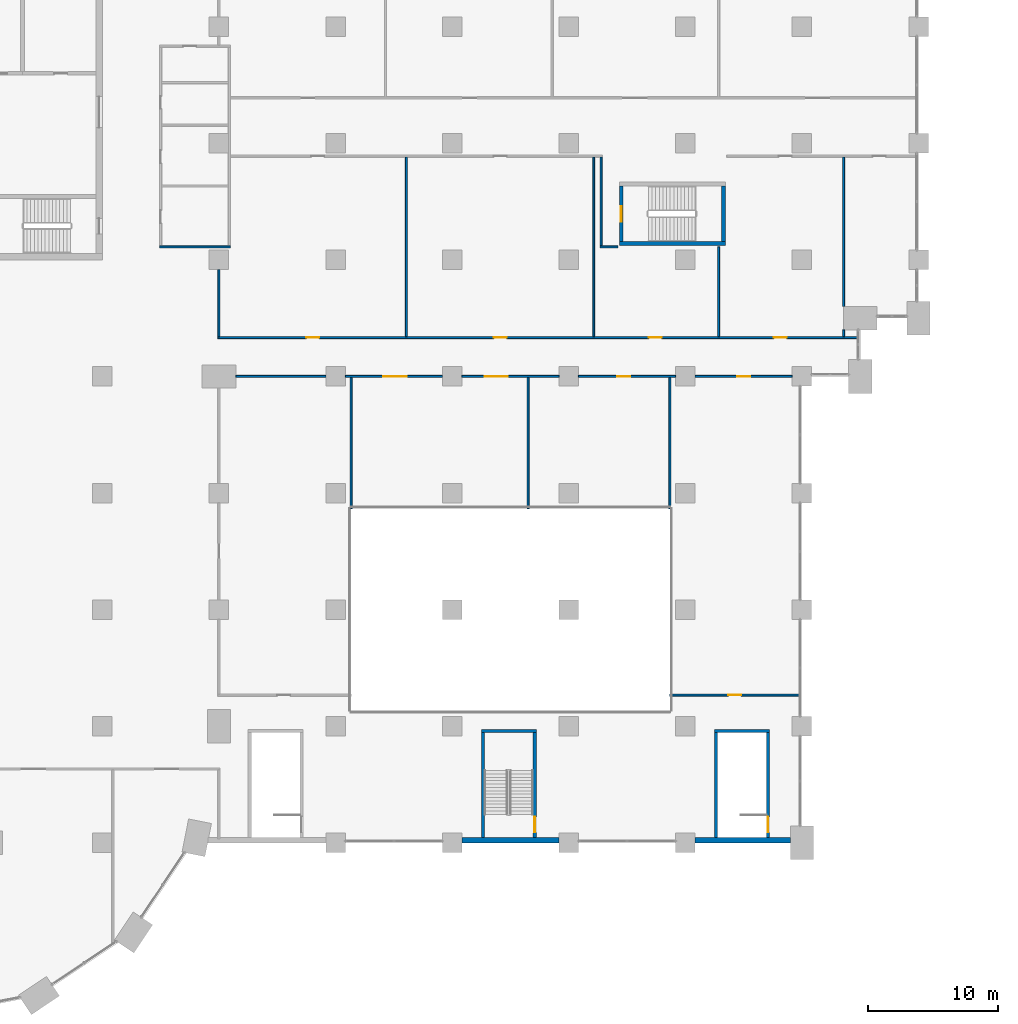
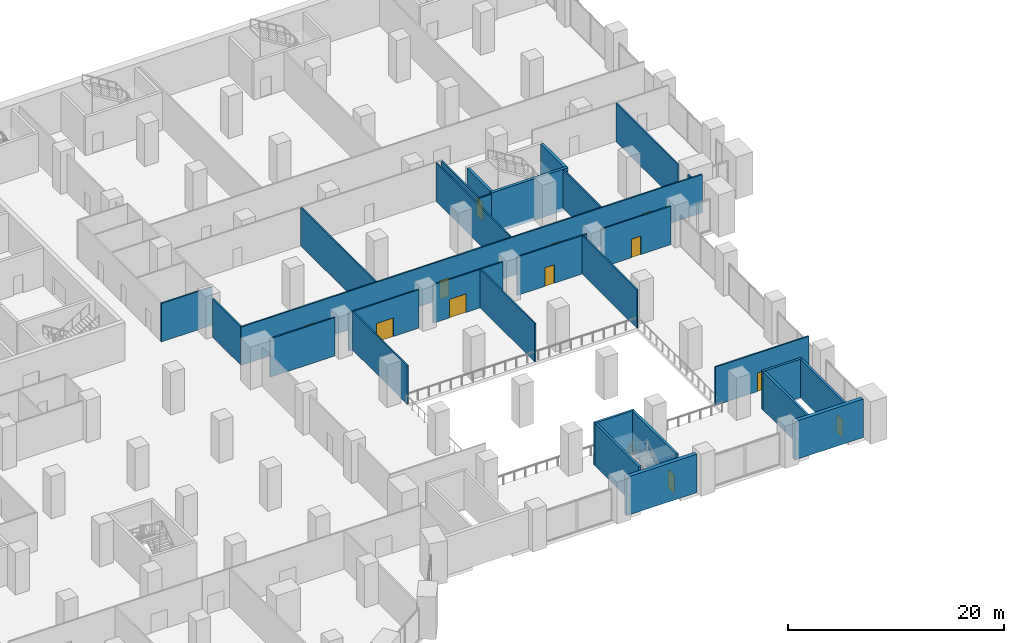
# One storey, part 15 of 32: 30 walls, 12 doors, 12 openings.
"""IFC4 building model written with IfcOpenShell, lengths in metres."""

from ifc_helpers import new_model, si_unit, direction, frame, frame_2d, origin, place, context, subcontext, project, spatial, rectangle, extrude, material, layer, layer_set, type_object, element, fill, save


model = new_model("IFC4")

# Units and contexts
model_context = context("Model", 3, precision=1e-05, world=origin(), true_north=direction((0.0, 1.0)))
body_context = subcontext(model_context, "Body", "Model", "MODEL_VIEW")
ifc_project = project(units=[si_unit("LENGTHUNIT", "METRE"), si_unit("AREAUNIT", "SQUARE_METRE"), si_unit("VOLUMEUNIT", "CUBIC_METRE"), si_unit("PLANEANGLEUNIT", "RADIAN"), si_unit("MASSUNIT", "GRAM", prefix="KILO")], contexts=[model_context])

# Site, building, storey
site_placement = place(None, origin())
site = spatial("IfcSite", under=ifc_project, at=site_placement, CompositionType="ELEMENT")
building_placement = place(site_placement, origin())
building = spatial("IfcBuilding", under=site, at=building_placement, Name="Hunhe Ridgeline Campus", CompositionType="ELEMENT")
storey_placement = place(building_placement, frame((0.0, 0.0, 26.39990234375)))
storey = spatial("IfcBuildingStorey", under=building, at=storey_placement, Name="L05", CompositionType="ELEMENT", Elevation=26.39990234375)

# Walls
ifc_material_1 = material(Name="Plastered blockwork", Category="masonry")
ifc_layer_1 = layer(ifc_material_1, 0.14990234375)
ifc_layer_set_1 = layer_set([ifc_layer_1], Name="Blockwork partition 150")
wall_type_1 = type_object("IfcWallType", Name="Blockwork partition 150", PredefinedType="PARTITIONING", material=ifc_layer_set_1)
wall_1_placement = place(storey_placement, frame((45.875, 64.0, 0.0), z_axis=(0.0, 0.0, 1.0), x_axis=(-1.0, 0.0, 0.0)))
element("IfcWall", 1, at=wall_1_placement, inside=storey, type_object=wall_type_1, Name="L05 partition", PredefinedType="PARTITIONING", context=body_context, shape_type="SweptSolid", body=[
    extrude(rectangle(XDim=5.449951171875, YDim=0.14990234375, at=frame_2d((2.72509765625, 0.0))), origin(), (0.0, 0.0, 1.0), 4.35009765625),
])
wall_2_placement = place(storey_placement, frame((74.425048828125, 64.0, 0.0), z_axis=(0.0, 0.0, 1.0), x_axis=(1.0, 0.0, 0.0)))
element("IfcWall", 2, at=wall_2_placement, inside=storey, type_object=wall_type_1, Name="L05 partition", PredefinedType="PARTITIONING", context=body_context, shape_type="SweptSolid", body=[
    extrude(rectangle(XDim=1.375, YDim=0.14990234375, at=frame_2d((0.6875, 0.0))), origin(), (0.0, 0.0, 1.0), 4.35009765625),
])
wall_3_placement = place(storey_placement, frame((55.199951171875, 43.800048828125, 0.0), z_axis=(0.0, 0.0, 1.0), x_axis=(0.0, 1.0, 0.0)))
element("IfcWall", 3, at=wall_3_placement, inside=storey, type_object=wall_type_1, Name="L05 partition", PredefinedType="PARTITIONING", context=body_context, shape_type="SweptSolid", body=[
    extrude(rectangle(XDim=10.125, YDim=0.14990234375, at=frame_2d((5.0625, 0.0))), origin(), (0.0, 0.0, 1.0), 4.35009765625),
])

# Wall, opening, door
wall_4_placement = place(storey_placement, frame((89.820068359375, 29.39990234375, 0.0), z_axis=(0.0, 0.0, 1.0), x_axis=(-1.0, 0.0, 0.0)))
wall_4 = element("IfcWall", 4, at=wall_4_placement, inside=storey, type_object=wall_type_1, Name="L05 partition", PredefinedType="PARTITIONING", context=body_context, shape_type="SweptSolid", body=[
    extrude(rectangle(XDim=10.02001953125, YDim=0.14990234375, at=frame_2d((5.010009765625, 0.0))), origin(), (0.0, 0.0, 1.0), 4.35009765625),
])
opening_1_placement = place(wall_4_placement, frame((4.52001953125, 0.0, 0.0)))
opening_1 = element("IfcOpeningElement", 5, at=opening_1_placement, cuts=wall_4, Name="Opening PD610", PredefinedType="OPENING", context=body_context, shape_type="SweptSolid", body=[
    extrude(rectangle(XDim=1.0, YDim=2.10009765625, at=frame_2d((0.5, 1.050048828125))), frame((0.0, 0.074951171875, 0.0), z_axis=(0.0, -1.0, 0.0), x_axis=(1.0, 0.0, 0.0)), (0.0, 0.0, 1.0), 0.14990234375),
])
ifc_material_2 = material(Name="Timber", Category="wood")
door_type_1 = type_object("IfcDoorType", Name="Podium timber door 1000x2100", OperationType="NOTDEFINED", PredefinedType="DOOR", material=ifc_material_2)
door_1_placement = place(opening_1_placement, origin())
door_1 = element("IfcDoor", 6, at=door_1_placement, inside=storey, type_object=door_type_1, Name="Archive Store door", OperationType="SINGLE_SWING_RIGHT", OverallHeight=2.10009765625, OverallWidth=1.0, PredefinedType="DOOR", context=body_context, shape_type="SweptSolid", body=[
    extrude(rectangle(XDim=1.0, YDim=2.10009765625, at=frame_2d((0.5, 1.050048828125))), frame((0.0, 0.02490234375, 0.0), z_axis=(0.0, -1.0, 0.0), x_axis=(1.0, 0.0, 0.0)), (0.0, 0.0, 1.0), 0.050048828125),
])
fill(opening_1, door_1)

# Walls
wall_5_placement = place(storey_placement, frame((45.0, 57.074951171875, 0.0), z_axis=(0.0, 0.0, 1.0), x_axis=(0.0, 1.0, 0.0)))
element("IfcWall", 7, at=wall_5_placement, inside=storey, type_object=wall_type_1, Name="L05 partition", PredefinedType="PARTITIONING", context=body_context, shape_type="SweptSolid", body=[
    extrude(rectangle(XDim=5.175048828125, YDim=0.14990234375, at=frame_2d((2.58740234375, 0.0))), origin(), (0.0, 0.0, 1.0), 4.35009765625),
])
wall_6_placement = place(storey_placement, frame((46.300048828125, 54.0, 0.0), z_axis=(0.0, 0.0, 1.0), x_axis=(1.0, 0.0, 0.0)))
element("IfcWall", 8, at=wall_6_placement, inside=storey, type_object=wall_type_1, Name="L05 partition", PredefinedType="PARTITIONING", context=body_context, shape_type="SweptSolid", body=[
    extrude(rectangle(XDim=6.949951171875, YDim=0.14990234375, at=frame_2d((3.47509765625, 0.0))), origin(), (0.0, 0.0, 1.0), 4.35009765625),
])

# Wall, opening, door
wall_7_placement = place(storey_placement, frame((54.75, 54.0, 0.0), z_axis=(0.0, 0.0, 1.0), x_axis=(1.0, 0.0, 0.0)))
wall_7 = element("IfcWall", 9, at=wall_7_placement, inside=storey, type_object=wall_type_1, Name="L05 partition", PredefinedType="PARTITIONING", context=body_context, shape_type="SweptSolid", body=[
    extrude(rectangle(XDim=7.5, YDim=0.14990234375, at=frame_2d((3.75, 0.0))), origin(), (0.0, 0.0, 1.0), 4.35009765625),
])
opening_2_placement = place(wall_7_placement, frame((2.949951171875, 0.0, 0.0)))
opening_2 = element("IfcOpeningElement", 10, at=opening_2_placement, cuts=wall_7, Name="Opening PD612", PredefinedType="OPENING", context=body_context, shape_type="SweptSolid", body=[
    extrude(rectangle(XDim=1.800048828125, YDim=2.10009765625, at=frame_2d((0.89990234375, 1.050048828125))), frame((0.0, 0.074951171875, 0.0), z_axis=(0.0, -1.0, 0.0), x_axis=(1.0, 0.0, 0.0)), (0.0, 0.0, 1.0), 0.14990234375),
])
door_type_2 = type_object("IfcDoorType", Name="Podium timber double door 1800x2100", OperationType="NOTDEFINED", PredefinedType="DOOR", material=ifc_material_2)
door_2_placement = place(opening_2_placement, origin())
door_2 = element("IfcDoor", 11, at=door_2_placement, inside=storey, type_object=door_type_2, Name="Archive Reading Room door", OperationType="DOUBLE_DOOR_SINGLE_SWING", OverallHeight=2.10009765625, OverallWidth=1.800048828125, PredefinedType="DOOR", context=body_context, shape_type="SweptSolid", body=[
    extrude(rectangle(XDim=1.800048828125, YDim=2.10009765625, at=frame_2d((0.89990234375, 1.050048828125))), frame((0.0, 0.02490234375, 0.0), z_axis=(0.0, -1.0, 0.0), x_axis=(1.0, 0.0, 0.0)), (0.0, 0.0, 1.0), 0.050048828125),
])
fill(opening_2, door_2)

wall_8_placement = place(storey_placement, frame((63.75, 54.0, 0.0), z_axis=(0.0, 0.0, 1.0), x_axis=(1.0, 0.0, 0.0)))
wall_8 = element("IfcWall", 12, at=wall_8_placement, inside=storey, type_object=wall_type_1, Name="L05 partition", PredefinedType="PARTITIONING", context=body_context, shape_type="SweptSolid", body=[
    extrude(rectangle(XDim=7.5, YDim=0.14990234375, at=frame_2d((3.75, 0.0))), origin(), (0.0, 0.0, 1.0), 4.35009765625),
])
opening_3_placement = place(wall_8_placement, frame((1.75, 0.0, 0.0)))
opening_3 = element("IfcOpeningElement", 13, at=opening_3_placement, cuts=wall_8, Name="Opening PD613", PredefinedType="OPENING", context=body_context, shape_type="SweptSolid", body=[
    extrude(rectangle(XDim=1.800048828125, YDim=2.10009765625, at=frame_2d((0.89990234375, 1.050048828125))), frame((0.0, 0.074951171875, 0.0), z_axis=(0.0, -1.0, 0.0), x_axis=(1.0, 0.0, 0.0)), (0.0, 0.0, 1.0), 0.14990234375),
])
door_3_placement = place(opening_3_placement, origin())
door_3 = element("IfcDoor", 14, at=door_3_placement, inside=storey, type_object=door_type_2, Name="Archive Reading Room door", OperationType="DOUBLE_DOOR_SINGLE_SWING", OverallHeight=2.10009765625, OverallWidth=1.800048828125, PredefinedType="DOOR", context=body_context, shape_type="SweptSolid", body=[
    extrude(rectangle(XDim=1.800048828125, YDim=2.10009765625, at=frame_2d((0.89990234375, 1.050048828125))), frame((0.0, 0.02490234375, 0.0), z_axis=(0.0, -1.0, 0.0), x_axis=(1.0, 0.0, 0.0)), (0.0, 0.0, 1.0), 0.050048828125),
])
fill(opening_3, door_3)

wall_9_placement = place(storey_placement, frame((72.75, 54.0, 0.0), z_axis=(0.0, 0.0, 1.0), x_axis=(1.0, 0.0, 0.0)))
wall_9 = element("IfcWall", 15, at=wall_9_placement, inside=storey, type_object=wall_type_1, Name="L05 partition", PredefinedType="PARTITIONING", context=body_context, shape_type="SweptSolid", body=[
    extrude(rectangle(XDim=7.5, YDim=0.14990234375, at=frame_2d((3.75, 0.0))), origin(), (0.0, 0.0, 1.0), 4.35009765625),
])
opening_4_placement = place(wall_9_placement, frame((3.0, 0.0, 0.0)))
opening_4 = element("IfcOpeningElement", 16, at=opening_4_placement, cuts=wall_9, Name="Opening PD614", PredefinedType="OPENING", context=body_context, shape_type="SweptSolid", body=[
    extrude(rectangle(XDim=1.0, YDim=2.10009765625, at=frame_2d((0.5, 1.050048828125))), frame((0.0, 0.074951171875, 0.0), z_axis=(0.0, -1.0, 0.0), x_axis=(1.0, 0.0, 0.0)), (0.0, 0.0, 1.0), 0.14990234375),
])
door_4_placement = place(opening_4_placement, origin())
door_4 = element("IfcDoor", 17, at=door_4_placement, inside=storey, type_object=door_type_1, Name="Archive Processing Room door", OperationType="SINGLE_SWING_LEFT", OverallHeight=2.10009765625, OverallWidth=1.0, PredefinedType="DOOR", context=body_context, shape_type="SweptSolid", body=[
    extrude(rectangle(XDim=1.0, YDim=2.10009765625, at=frame_2d((0.5, 1.050048828125))), frame((0.0, 0.02490234375, 0.0), z_axis=(0.0, -1.0, 0.0), x_axis=(1.0, 0.0, 0.0)), (0.0, 0.0, 1.0), 0.050048828125),
])
fill(opening_4, door_4)

wall_10_placement = place(storey_placement, frame((81.75, 54.0, 0.0), z_axis=(0.0, 0.0, 1.0), x_axis=(1.0, 0.0, 0.0)))
wall_10 = element("IfcWall", 18, at=wall_10_placement, inside=storey, type_object=wall_type_1, Name="L05 partition", PredefinedType="PARTITIONING", context=body_context, shape_type="SweptSolid", body=[
    extrude(rectangle(XDim=7.5, YDim=0.14990234375, at=frame_2d((3.75, 0.0))), origin(), (0.0, 0.0, 1.0), 4.35009765625),
])
opening_5_placement = place(wall_10_placement, frame((3.25, 0.0, 0.0)))
opening_5 = element("IfcOpeningElement", 19, at=opening_5_placement, cuts=wall_10, Name="Opening PD611", PredefinedType="OPENING", context=body_context, shape_type="SweptSolid", body=[
    extrude(rectangle(XDim=1.0, YDim=2.10009765625, at=frame_2d((0.5, 1.050048828125))), frame((0.0, 0.074951171875, 0.0), z_axis=(0.0, -1.0, 0.0), x_axis=(1.0, 0.0, 0.0)), (0.0, 0.0, 1.0), 0.14990234375),
])
door_5_placement = place(opening_5_placement, origin())
door_5 = element("IfcDoor", 20, at=door_5_placement, inside=storey, type_object=door_type_1, Name="Archive Store door", OperationType="SINGLE_SWING_RIGHT", OverallHeight=2.10009765625, OverallWidth=1.0, PredefinedType="DOOR", context=body_context, shape_type="SweptSolid", body=[
    extrude(rectangle(XDim=1.0, YDim=2.10009765625, at=frame_2d((0.5, 1.050048828125))), frame((0.0, 0.02490234375, 0.0), z_axis=(0.0, -1.0, 0.0), x_axis=(1.0, 0.0, 0.0)), (0.0, 0.0, 1.0), 0.050048828125),
])
fill(opening_5, door_5)

# Walls
for number, where, z_axis, x_axis, name in (
    (21, (79.800048828125, 43.800048828125, 0.0), (0.0, 0.0, 1.0), (0.0, 1.0, 0.0), "L05 partition"),
    (22, (68.866943359375, 43.800048828125, 0.0), (0.0, 0.0, 1.0), (0.0, 1.0, 0.0), "L05 partition"),
):
    element("IfcWall", number, at=place(storey_placement, frame(where, z_axis=z_axis, x_axis=x_axis)), inside=storey, type_object=wall_type_1, Name=name, PredefinedType="PARTITIONING", context=body_context, shape_type="SweptSolid", body=[
        extrude(rectangle(XDim=10.125, YDim=0.14990234375, at=frame_2d((5.0625, 0.0))), origin(), (0.0, 0.0, 1.0), 4.35009765625),
    ])
wall_11_placement = place(storey_placement, frame((59.464111328125, 57.074951171875, 0.0), z_axis=(0.0, 0.0, 1.0), x_axis=(0.0, 1.0, 0.0)))
element("IfcWall", 23, at=wall_11_placement, inside=storey, type_object=wall_type_1, Name="L05 partition", PredefinedType="PARTITIONING", context=body_context, shape_type="SweptSolid", body=[
    extrude(rectangle(XDim=13.85009765625, YDim=0.14990234375, at=frame_2d((6.925048828125, 0.0))), origin(), (0.0, 0.0, 1.0), 4.35009765625),
])

# Wall, openings, doors
wall_12_placement = place(storey_placement, frame((94.320068359375, 57.0, 0.0), z_axis=(0.0, 0.0, 1.0), x_axis=(-1.0, 0.0, 0.0)))
wall_12 = element("IfcWall", 24, at=wall_12_placement, inside=storey, type_object=wall_type_1, Name="L05 partition", PredefinedType="PARTITIONING", context=body_context, shape_type="SweptSolid", body=[
    extrude(rectangle(XDim=49.39501953125, YDim=0.14990234375, at=frame_2d((24.697509765625, 0.0))), origin(), (0.0, 0.0, 1.0), 4.35009765625),
])
opening_6_placement = place(wall_12_placement, frame((41.570068359375, 0.0, 0.0)))
opening_6 = element("IfcOpeningElement", 25, at=opening_6_placement, cuts=wall_12, Name="Opening PD622", PredefinedType="OPENING", context=body_context, shape_type="SweptSolid", body=[
    extrude(rectangle(XDim=1.0, YDim=2.10009765625, at=frame_2d((0.5, 1.050048828125))), frame((0.0, 0.074951171875, 0.0), z_axis=(0.0, -1.0, 0.0), x_axis=(1.0, 0.0, 0.0)), (0.0, 0.0, 1.0), 0.14990234375),
])
opening_7_placement = place(wall_12_placement, frame((27.10595703125, 0.0, 0.0)))
opening_7 = element("IfcOpeningElement", 26, at=opening_7_placement, cuts=wall_12, Name="Opening PD624", PredefinedType="OPENING", context=body_context, shape_type="SweptSolid", body=[
    extrude(rectangle(XDim=1.0, YDim=2.10009765625, at=frame_2d((0.5, 1.050048828125))), frame((0.0, 0.074951171875, 0.0), z_axis=(0.0, -1.0, 0.0), x_axis=(1.0, 0.0, 0.0)), (0.0, 0.0, 1.0), 0.14990234375),
])
opening_8_placement = place(wall_12_placement, frame((15.14111328125, 0.0, 0.0)))
opening_8 = element("IfcOpeningElement", 27, at=opening_8_placement, cuts=wall_12, Name="Opening PD626", PredefinedType="OPENING", context=body_context, shape_type="SweptSolid", body=[
    extrude(rectangle(XDim=1.0, YDim=2.10009765625, at=frame_2d((0.5, 1.050048828125))), frame((0.0, 0.074951171875, 0.0), z_axis=(0.0, -1.0, 0.0), x_axis=(1.0, 0.0, 0.0)), (0.0, 0.0, 1.0), 0.14990234375),
])
opening_9_placement = place(wall_12_placement, frame((5.4990234375, 0.0, 0.0)))
opening_9 = element("IfcOpeningElement", 28, at=opening_9_placement, cuts=wall_12, Name="Opening PD627", PredefinedType="OPENING", context=body_context, shape_type="SweptSolid", body=[
    extrude(rectangle(XDim=1.0, YDim=2.10009765625, at=frame_2d((0.5, 1.050048828125))), frame((0.0, 0.074951171875, 0.0), z_axis=(0.0, -1.0, 0.0), x_axis=(1.0, 0.0, 0.0)), (0.0, 0.0, 1.0), 0.14990234375),
])
door_6_placement = place(opening_6_placement, origin())
door_6 = element("IfcDoor", 29, at=door_6_placement, inside=storey, type_object=door_type_1, Name="Archive Store door", OperationType="SINGLE_SWING_RIGHT", OverallHeight=2.10009765625, OverallWidth=1.0, PredefinedType="DOOR", context=body_context, shape_type="SweptSolid", body=[
    extrude(rectangle(XDim=1.0, YDim=2.10009765625, at=frame_2d((0.5, 1.050048828125))), frame((0.0, 0.02490234375, 0.0), z_axis=(0.0, -1.0, 0.0), x_axis=(1.0, 0.0, 0.0)), (0.0, 0.0, 1.0), 0.050048828125),
])
fill(opening_6, door_6)
door_7_placement = place(opening_7_placement, origin())
door_7 = element("IfcDoor", 30, at=door_7_placement, inside=storey, type_object=door_type_1, Name="Archive Store door", OperationType="SINGLE_SWING_RIGHT", OverallHeight=2.10009765625, OverallWidth=1.0, PredefinedType="DOOR", context=body_context, shape_type="SweptSolid", body=[
    extrude(rectangle(XDim=1.0, YDim=2.10009765625, at=frame_2d((0.5, 1.050048828125))), frame((0.0, 0.02490234375, 0.0), z_axis=(0.0, -1.0, 0.0), x_axis=(1.0, 0.0, 0.0)), (0.0, 0.0, 1.0), 0.050048828125),
])
fill(opening_7, door_7)
door_8_placement = place(opening_8_placement, origin())
door_8 = element("IfcDoor", 31, at=door_8_placement, inside=storey, type_object=door_type_1, Name="Digitisation Room door", OperationType="SINGLE_SWING_LEFT", OverallHeight=2.10009765625, OverallWidth=1.0, PredefinedType="DOOR", context=body_context, shape_type="SweptSolid", body=[
    extrude(rectangle(XDim=1.0, YDim=2.10009765625, at=frame_2d((0.5, 1.050048828125))), frame((0.0, 0.02490234375, 0.0), z_axis=(0.0, -1.0, 0.0), x_axis=(1.0, 0.0, 0.0)), (0.0, 0.0, 1.0), 0.050048828125),
])
fill(opening_8, door_8)
door_9_placement = place(opening_9_placement, origin())
door_9 = element("IfcDoor", 32, at=door_9_placement, inside=storey, type_object=door_type_1, Name="Conservation Laboratory door", OperationType="SINGLE_SWING_LEFT", OverallHeight=2.10009765625, OverallWidth=1.0, PredefinedType="DOOR", context=body_context, shape_type="SweptSolid", body=[
    extrude(rectangle(XDim=1.0, YDim=2.10009765625, at=frame_2d((0.5, 1.050048828125))), frame((0.0, 0.02490234375, 0.0), z_axis=(0.0, -1.0, 0.0), x_axis=(1.0, 0.0, 0.0)), (0.0, 0.0, 1.0), 0.050048828125),
])
fill(opening_9, door_9)

# Walls
wall_13_placement = place(storey_placement, frame((73.928955078125, 57.074951171875, 0.0), z_axis=(0.0, 0.0, 1.0), x_axis=(0.0, 1.0, 0.0)))
element("IfcWall", 33, at=wall_13_placement, inside=storey, type_object=wall_type_1, Name="L05 partition", PredefinedType="PARTITIONING", context=body_context, shape_type="SweptSolid", body=[
    extrude(rectangle(XDim=13.85009765625, YDim=0.14990234375, at=frame_2d((6.925048828125, 0.0))), origin(), (0.0, 0.0, 1.0), 4.35009765625),
])
wall_14_placement = place(storey_placement, frame((83.571044921875, 57.074951171875, 0.0), z_axis=(0.0, 0.0, 1.0), x_axis=(0.0, 1.0, 0.0)))
element("IfcWall", 34, at=wall_14_placement, inside=storey, type_object=wall_type_1, Name="L05 partition", PredefinedType="PARTITIONING", context=body_context, shape_type="SweptSolid", body=[
    extrude(rectangle(XDim=6.925048828125, YDim=0.14990234375, at=frame_2d((3.46240234375, 0.0))), origin(), (0.0, 0.0, 1.0), 4.35009765625),
])
wall_15_placement = place(storey_placement, frame((74.5, 70.925048828125, 0.0), z_axis=(0.0, 0.0, 1.0), x_axis=(0.0, -1.0, 0.0)))
element("IfcWall", 35, at=wall_15_placement, inside=storey, type_object=wall_type_1, Name="L05 partition", PredefinedType="PARTITIONING", context=body_context, shape_type="SweptSolid", body=[
    extrude(rectangle(XDim=6.85009765625, YDim=0.14990234375, at=frame_2d((3.425048828125, 0.0))), origin(), (0.0, 0.0, 1.0), 4.35009765625),
])
wall_16_placement = place(storey_placement, frame((93.214111328125, 57.074951171875, 0.0), z_axis=(0.0, 0.0, 1.0), x_axis=(0.0, 1.0, 0.0)))
element("IfcWall", 36, at=wall_16_placement, inside=storey, type_object=wall_type_1, Name="L05 partition", PredefinedType="PARTITIONING", context=body_context, shape_type="SweptSolid", body=[
    extrude(rectangle(XDim=0.525146484375, YDim=0.14990234375, at=frame_2d((0.2626953125, 0.0))), origin(), (0.0, 0.0, 1.0), 4.35009765625),
])
wall_17_placement = place(storey_placement, frame((93.214111328125, 59.39990234375, 0.0), z_axis=(0.0, 0.0, 1.0), x_axis=(0.0, 1.0, 0.0)))
element("IfcWall", 37, at=wall_17_placement, inside=storey, type_object=wall_type_1, Name="L05 partition", PredefinedType="PARTITIONING", context=body_context, shape_type="SweptSolid", body=[
    extrude(rectangle(XDim=11.525146484375, YDim=0.14990234375, at=frame_2d((5.7626953125, 0.0))), origin(), (0.0, 0.0, 1.0), 4.35009765625),
])
ifc_material_3 = material(Name="Concrete C40", Category="concrete")
ifc_layer_2 = layer(ifc_material_3, 0.39990234375)
ifc_layer_set_2 = layer_set([ifc_layer_2], Name="Stair shaft facade wall 400 C40")
wall_type_2 = type_object("IfcWallType", Name="Stair shaft facade wall 400 C40", PredefinedType="SOLIDWALL", material=ifc_layer_set_2)
wall_18_placement = place(storey_placement, frame((71.25, 18.199951171875, 0.0), z_axis=(0.0, 0.0, 1.0), x_axis=(-1.0, 0.0, 0.0)))
element("IfcWall", 38, at=wall_18_placement, inside=storey, type_object=wall_type_2, Name="L05 stair facade wall", PredefinedType="SOLIDWALL", context=body_context, shape_type="SweptSolid", body=[
    extrude(rectangle(XDim=7.5, YDim=0.39990234375, at=frame_2d((3.75, 0.0))), origin(), (0.0, 0.0, 1.0), 4.35009765625),
])
wall_19_placement = place(storey_placement, frame((89.10009765625, 18.199951171875, 0.0), z_axis=(0.0, 0.0, 1.0), x_axis=(-1.0, 0.0, 0.0)))
element("IfcWall", 39, at=wall_19_placement, inside=storey, type_object=wall_type_2, Name="L05 stair facade wall", PredefinedType="SOLIDWALL", context=body_context, shape_type="SweptSolid", body=[
    extrude(rectangle(XDim=7.35009765625, YDim=0.39990234375, at=frame_2d((3.675048828125, 0.0))), origin(), (0.0, 0.0, 1.0), 4.35009765625),
])
ifc_layer_3 = layer(ifc_material_3, 0.25)
ifc_layer_set_3 = layer_set([ifc_layer_3], Name="Stair shaft wall 250 C40")
wall_type_3 = type_object("IfcWallType", Name="Stair shaft wall 250 C40", PredefinedType="SOLIDWALL", material=ifc_layer_set_3)
wall_20_placement = place(storey_placement, frame((65.375, 18.39990234375, 0.0), z_axis=(0.0, 0.0, 1.0), x_axis=(0.0, 1.0, 0.0)))
element("IfcWall", 40, at=wall_20_placement, inside=storey, type_object=wall_type_3, Name="L05 PS2 shaft wall", PredefinedType="SOLIDWALL", context=body_context, shape_type="SweptSolid", body=[
    extrude(rectangle(XDim=8.10009765625, YDim=0.25, at=frame_2d((4.050048828125, 0.0))), origin(), (0.0, 0.0, 1.0), 4.800048828125),
])

# Wall, opening, door
wall_21_placement = place(storey_placement, frame((69.375, 26.5, 0.0), z_axis=(0.0, 0.0, 1.0), x_axis=(0.0, -1.0, 0.0)))
wall_21 = element("IfcWall", 41, at=wall_21_placement, inside=storey, type_object=wall_type_3, Name="L05 PS2 shaft wall", PredefinedType="SOLIDWALL", context=body_context, shape_type="SweptSolid", body=[
    extrude(rectangle(XDim=8.10009765625, YDim=0.25, at=frame_2d((4.050048828125, 0.0))), origin(), (0.0, 0.0, 1.0), 4.800048828125),
])
opening_10_placement = place(wall_21_placement, frame((6.5, 0.0, 0.0)))
opening_10 = element("IfcOpeningElement", 42, at=opening_10_placement, cuts=wall_21, Name="Opening PD602", PredefinedType="OPENING", context=body_context, shape_type="SweptSolid", body=[
    extrude(rectangle(XDim=1.199951171875, YDim=2.10009765625, at=frame_2d((0.60009765625, 1.050048828125))), frame((0.0, 0.125, 0.0), z_axis=(0.0, -1.0, 0.0), x_axis=(1.0, 0.0, 0.0)), (0.0, 0.0, 1.0), 0.25),
])
ifc_material_4 = material(Name="Steel Q235", Category="steel")
door_type_3 = type_object("IfcDoorType", Name="Podium fire door 1200x2100 FD60", OperationType="NOTDEFINED", PredefinedType="DOOR", material=ifc_material_4)
door_10_placement = place(opening_10_placement, origin())
door_10 = element("IfcDoor", 43, at=door_10_placement, inside=storey, type_object=door_type_3, Name="Stair door PS2", OperationType="SINGLE_SWING_LEFT", OverallHeight=2.10009765625, OverallWidth=1.199951171875, PredefinedType="DOOR", context=body_context, shape_type="SweptSolid", body=[
    extrude(rectangle(XDim=1.199951171875, YDim=2.10009765625, at=frame_2d((0.60009765625, 1.050048828125))), frame((0.0, 0.02490234375, 0.0), z_axis=(0.0, -1.0, 0.0), x_axis=(1.0, 0.0, 0.0)), (0.0, 0.0, 1.0), 0.050048828125),
])
fill(opening_10, door_10)

# Walls
wall_22_placement = place(storey_placement, frame((65.25, 26.625, 0.0), z_axis=(0.0, 0.0, 1.0), x_axis=(1.0, 0.0, 0.0)))
element("IfcWall", 44, at=wall_22_placement, inside=storey, type_object=wall_type_3, Name="L05 PS2 shaft wall", PredefinedType="SOLIDWALL", context=body_context, shape_type="SweptSolid", body=[
    extrude(rectangle(XDim=4.25, YDim=0.25, at=frame_2d((2.125, 0.0))), origin(), (0.0, 0.0, 1.0), 4.800048828125),
])
wall_23_placement = place(storey_placement, frame((83.375, 18.39990234375, 0.0), z_axis=(0.0, 0.0, 1.0), x_axis=(0.0, 1.0, 0.0)))
element("IfcWall", 45, at=wall_23_placement, inside=storey, type_object=wall_type_3, Name="L05 PS3 shaft wall", PredefinedType="SOLIDWALL", context=body_context, shape_type="SweptSolid", body=[
    extrude(rectangle(XDim=8.10009765625, YDim=0.25, at=frame_2d((4.050048828125, 0.0))), origin(), (0.0, 0.0, 1.0), 4.35009765625),
])

# Wall, opening, door
wall_24_placement = place(storey_placement, frame((87.375, 26.5, 0.0), z_axis=(0.0, 0.0, 1.0), x_axis=(0.0, -1.0, 0.0)))
wall_24 = element("IfcWall", 46, at=wall_24_placement, inside=storey, type_object=wall_type_3, Name="L05 PS3 shaft wall", PredefinedType="SOLIDWALL", context=body_context, shape_type="SweptSolid", body=[
    extrude(rectangle(XDim=8.10009765625, YDim=0.25, at=frame_2d((4.050048828125, 0.0))), origin(), (0.0, 0.0, 1.0), 4.35009765625),
])
opening_11_placement = place(wall_24_placement, frame((6.5, 0.0, 0.0)))
opening_11 = element("IfcOpeningElement", 47, at=opening_11_placement, cuts=wall_24, Name="Opening PD603", PredefinedType="OPENING", context=body_context, shape_type="SweptSolid", body=[
    extrude(rectangle(XDim=1.199951171875, YDim=2.10009765625, at=frame_2d((0.60009765625, 1.050048828125))), frame((0.0, 0.125, 0.0), z_axis=(0.0, -1.0, 0.0), x_axis=(1.0, 0.0, 0.0)), (0.0, 0.0, 1.0), 0.25),
])
door_11_placement = place(opening_11_placement, origin())
door_11 = element("IfcDoor", 48, at=door_11_placement, inside=storey, type_object=door_type_3, Name="Stair door PS3", OperationType="SINGLE_SWING_LEFT", OverallHeight=2.10009765625, OverallWidth=1.199951171875, PredefinedType="DOOR", context=body_context, shape_type="SweptSolid", body=[
    extrude(rectangle(XDim=1.199951171875, YDim=2.10009765625, at=frame_2d((0.60009765625, 1.050048828125))), frame((0.0, 0.02490234375, 0.0), z_axis=(0.0, -1.0, 0.0), x_axis=(1.0, 0.0, 0.0)), (0.0, 0.0, 1.0), 0.050048828125),
])
fill(opening_11, door_11)

# Walls
wall_25_placement = place(storey_placement, frame((83.25, 26.625, 0.0), z_axis=(0.0, 0.0, 1.0), x_axis=(1.0, 0.0, 0.0)))
element("IfcWall", 49, at=wall_25_placement, inside=storey, type_object=wall_type_3, Name="L05 PS3 shaft wall", PredefinedType="SOLIDWALL", context=body_context, shape_type="SweptSolid", body=[
    extrude(rectangle(XDim=4.25, YDim=0.25, at=frame_2d((2.125, 0.0))), origin(), (0.0, 0.0, 1.0), 4.35009765625),
])
ifc_material_5 = material(Name="Concrete C80", Category="concrete")
ifc_layer_4 = layer(ifc_material_5, 0.300048828125)
ifc_layer_set_4 = layer_set([ifc_layer_4], Name="Stair wall 300 reinforced concrete C80")
wall_type_4 = type_object("IfcWallType", Name="Stair wall 300 reinforced concrete C80", PredefinedType="SOLIDWALL", material=ifc_layer_set_4)
wall_26_placement = place(storey_placement, frame((75.89990234375, 64.25, -0.349853515625), z_axis=(0.0, 0.0, 1.0), x_axis=(1.0, 0.0, 0.0)))
element("IfcWall", 50, at=wall_26_placement, inside=storey, type_object=wall_type_4, Name="L05 core wall 8", PredefinedType="SOLIDWALL", context=body_context, shape_type="SweptSolid", body=[
    extrude(rectangle(XDim=8.2001953125, YDim=0.300048828125, at=frame_2d((4.10009765625, 0.0))), origin(), (0.0, 0.0, 1.0), 4.699951171875),
])

# Wall, opening, door
wall_27_placement = place(storey_placement, frame((76.050048828125, 64.39990234375, -0.349853515625), z_axis=(0.0, 0.0, 1.0), x_axis=(0.0, 1.0, 0.0)))
wall_27 = element("IfcWall", 51, at=wall_27_placement, inside=storey, type_object=wall_type_4, Name="L05 core wall 70", PredefinedType="SOLIDWALL", context=body_context, shape_type="SweptSolid", body=[
    extrude(rectangle(XDim=4.300048828125, YDim=0.300048828125, at=frame_2d((2.14990234375, 0.0))), origin(), (0.0, 0.0, 1.0), 4.699951171875),
])
opening_12_placement = place(wall_27_placement, frame((1.550048828125, 0.0, 0.35009765625)))
opening_12 = element("IfcOpeningElement", 52, at=opening_12_placement, cuts=wall_27, Name="Opening CD24", PredefinedType="OPENING", context=body_context, shape_type="SweptSolid", body=[
    extrude(rectangle(XDim=1.199951171875, YDim=2.10009765625, at=frame_2d((0.60009765625, 1.050048828125))), frame((0.0, 0.14990234375, 0.0), z_axis=(0.0, -1.0, 0.0), x_axis=(1.0, 0.0, 0.0)), (0.0, 0.0, 1.0), 0.300048828125),
])
ifc_material_6 = material(Name="Hollow metal fire door leaf")
door_type_4 = type_object("IfcDoorType", Name="Stair door 1200x2100 FD60", OperationType="SINGLE_SWING_LEFT", PredefinedType="DOOR", material=ifc_material_6)
door_12_placement = place(opening_12_placement, origin())
door_12 = element("IfcDoor", 53, at=door_12_placement, inside=storey, type_object=door_type_4, Name="L05 door E5", OperationType="SINGLE_SWING_RIGHT", OverallHeight=2.10009765625, OverallWidth=1.199951171875, PredefinedType="DOOR", context=body_context, shape_type="SweptSolid", body=[
    extrude(rectangle(XDim=1.199951171875, YDim=2.10009765625, at=frame_2d((0.60009765625, 1.050048828125))), frame((0.0, 0.02490234375, 0.0), z_axis=(0.0, -1.0, 0.0), x_axis=(1.0, 0.0, 0.0)), (0.0, 0.0, 1.0), 0.050048828125),
])
fill(opening_12, door_12)

# Wall
wall_28_placement = place(storey_placement, frame((83.949951171875, 64.39990234375, -0.349853515625), z_axis=(0.0, 0.0, 1.0), x_axis=(0.0, 1.0, 0.0)))
element("IfcWall", 54, at=wall_28_placement, inside=storey, type_object=wall_type_4, Name="L05 core wall 71", PredefinedType="SOLIDWALL", context=body_context, shape_type="SweptSolid", body=[
    extrude(rectangle(XDim=4.300048828125, YDim=0.300048828125, at=frame_2d((2.14990234375, 0.0))), origin(), (0.0, 0.0, 1.0), 4.699951171875),
])

save(model, "model.ifc")
